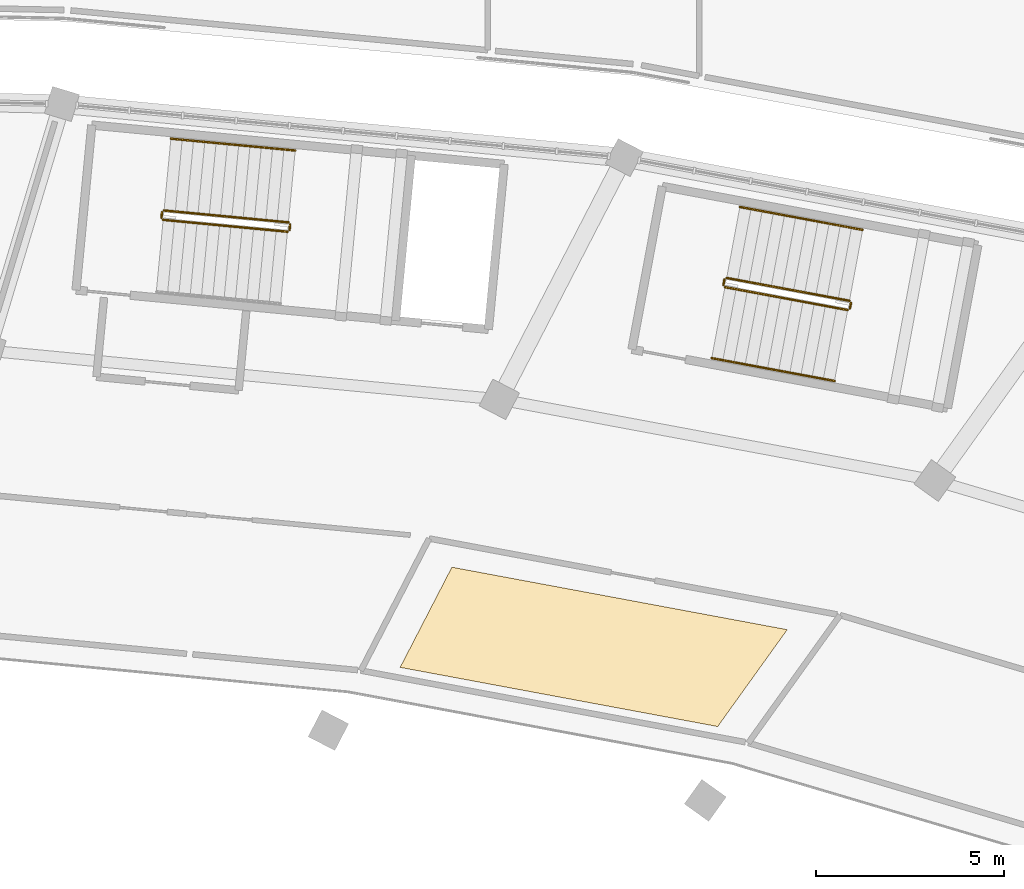
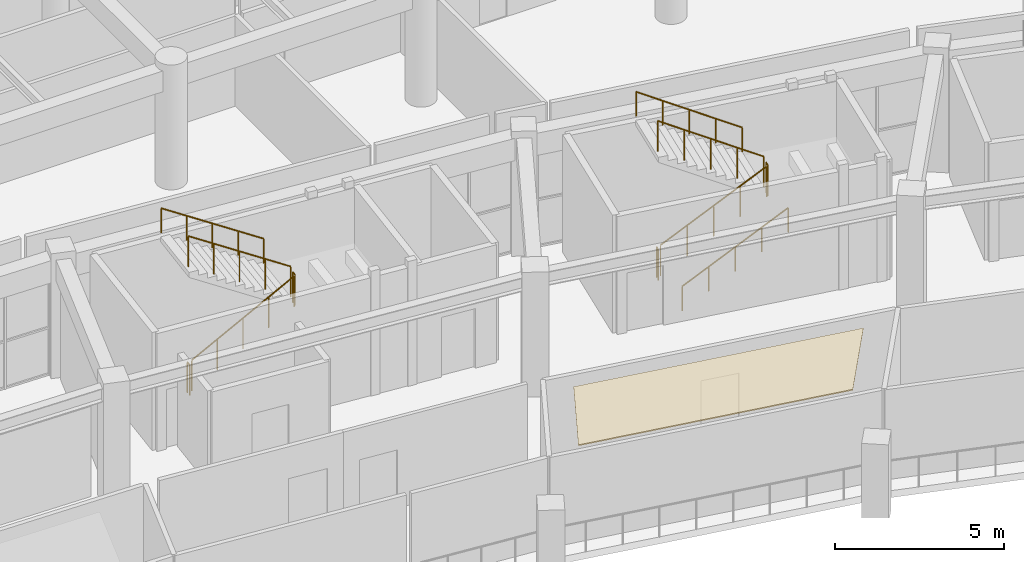
# One storey, part 138 of 141: 11 railings, 1 covering.
"""IFC4 building model written with IfcOpenShell, lengths in metres."""

import ifcopenshell
import ifcopenshell.guid

model = None  # the IFC model being written
_history = None  # IfcOwnerHistory: only IFC2X3 demands one
_inside = {}  # id of a spatial element -> (the spatial element, [elements in it])
_under = {}  # id of a project, library or spatial element -> (it, [spatial elements below it])
_declared = {}  # id of a project -> (the project, [libraries it declares])
_typed = {}  # id of a type object -> (the type object, [elements of that type])
_made_of = {}  # id of a material, layer set ... -> (it, [elements and type objects made of it])


def new_model(schema):
    """Start an empty IFC model of exactly this schema.

    Asked for "IFC4X3", IfcOpenShell would pick the latest addendum, in which some entities
    have other attributes; the version numbers below select the first issue.
    IFC2X3 requires an IfcOwnerHistory on every rooted entity: one is made here for all.
    """
    global model, _history
    if schema == "IFC4X3":
        model = ifcopenshell.file(schema_version=(4, 3, 0, 0))
    else:
        model = ifcopenshell.file(schema=schema)
    _inside.clear()
    _under.clear()
    _declared.clear()
    _typed.clear()
    _made_of.clear()
    _history = None
    if model.schema == "IFC2X3":
        org = make("IfcOrganization", Name="unknown")
        user = make(
            "IfcPersonAndOrganization",
            ThePerson=make("IfcPerson", FamilyName="unknown"),
            TheOrganization=org,
        )
        app = make(
            "IfcApplication",
            ApplicationDeveloper=org,
            Version="unknown",
            ApplicationFullName="unknown",
            ApplicationIdentifier="unknown",
        )
        _history = make(
            "IfcOwnerHistory",
            OwningUser=user,
            OwningApplication=app,
            ChangeAction="ADDED",
            CreationDate=0,
        )
    return model


def make(cls, **values):
    """One entity of the class cls with the attributes given. An attribute that is None is left unset."""
    return model.create_entity(
        cls, **{name: value for name, value in values.items() if value is not None}
    )


def rooted(cls, **values):
    """An entity with a GlobalId (a new one), such as an element, a storey or a relation."""
    return make(cls, GlobalId=ifcopenshell.guid.new(), OwnerHistory=_history, **values)


def si_unit(unit_type, name, prefix=None):
    """IfcSIUnit, for example si_unit("LENGTHUNIT", "METRE", prefix="MILLI")."""
    return make("IfcSIUnit", UnitType=unit_type, Prefix=prefix, Name=name)


def assignment(units):
    """IfcUnitAssignment: the units of a project."""
    return None if units is None else make("IfcUnitAssignment", Units=units)


def point(xyz):
    """IfcCartesianPoint."""
    return None if xyz is None else make("IfcCartesianPoint", Coordinates=xyz)


def direction(xyz):
    """IfcDirection."""
    return None if xyz is None else make("IfcDirection", DirectionRatios=xyz)


def frame(location, z_axis=None, x_axis=None):
    """IfcAxis2Placement3D, a coordinate frame: its origin and axes. An axis left out is left unset."""
    return make(
        "IfcAxis2Placement3D",
        Location=point(location),
        Axis=direction(z_axis),
        RefDirection=direction(x_axis),
    )


def frame_2d(location, x_axis=None):
    """IfcAxis2Placement2D, a coordinate frame in the plane: its origin and x axis."""
    return make(
        "IfcAxis2Placement2D", Location=point(location), RefDirection=direction(x_axis)
    )


def origin():
    """The frame at (0, 0, 0) with its axes left unset."""
    return frame((0.0, 0.0, 0.0))


def origin_2d():
    """The frame at (0, 0) in the plane with its x axis left unset."""
    return frame_2d((0.0, 0.0))


def place(relative_to, where):
    """IfcLocalPlacement: puts the frame where relative to a parent placement (None: the world)."""
    return make(
        "IfcLocalPlacement", PlacementRelTo=relative_to, RelativePlacement=where
    )


def context(
    kind, dimensions, precision=None, world=None, true_north=None, identifier=None
):
    """IfcGeometricRepresentationContext, for example the 3D "Model" context."""
    return make(
        "IfcGeometricRepresentationContext",
        ContextIdentifier=identifier,
        ContextType=kind,
        CoordinateSpaceDimension=dimensions,
        Precision=precision,
        WorldCoordinateSystem=world,
        TrueNorth=true_north,
    )


def subcontext(parent, identifier, kind, view, scale=None):
    """IfcGeometricRepresentationSubContext, for example "Body" below "Model"."""
    return make(
        "IfcGeometricRepresentationSubContext",
        ContextIdentifier=identifier,
        ContextType=kind,
        ParentContext=parent,
        TargetScale=scale,
        TargetView=view,
    )


def project(units=None, contexts=None):
    """IfcProject with its units and contexts."""
    return rooted(
        "IfcProject",
        Name="project",
        RepresentationContexts=contexts,
        UnitsInContext=assignment(units),
    )


def spatial(cls, under=None, at=None, **own):
    """A site, building, storey or space (cls), placed at a placement, below another one or the project."""
    s = rooted(cls, ObjectPlacement=at, **own)
    if under is not None:
        _under.setdefault(under.id(), (under, []))[1].append(s)
    return s


def polyline(points):
    """IfcPolyline through the points."""
    return make("IfcPolyline", Points=[point(p) for p in points])


def profile(cls, at=None, kind="AREA", **sizes):
    """A parametric profile (cls). Its sizes go by their IFC names, for example OverallWidth=200.0."""
    return make(cls, ProfileType=kind, Position=at, **sizes)


def circle(**sizes):
    """IfcCircleProfileDef."""
    return profile("IfcCircleProfileDef", **sizes)


def outline(outer, holes=None, kind="AREA"):
    """IfcArbitraryClosedProfileDef: a profile drawn as a closed curve; with holes, ...WithVoids."""
    if holes is None:
        return make("IfcArbitraryClosedProfileDef", ProfileType=kind, OuterCurve=outer)
    return make(
        "IfcArbitraryProfileDefWithVoids",
        ProfileType=kind,
        OuterCurve=outer,
        InnerCurves=holes,
    )


def extrude(swept, where, along, depth):
    """IfcExtrudedAreaSolid: the profile swept, set in the frame where, extruded along a direction by depth."""
    return make(
        "IfcExtrudedAreaSolid",
        SweptArea=swept,
        Position=where,
        ExtrudedDirection=direction(along),
        Depth=depth,
    )


def shape(context_of_items, identifier, shape_type, items):
    """IfcShapeRepresentation: the items that make up one representation, for example the "Body"."""
    return make(
        "IfcShapeRepresentation",
        ContextOfItems=context_of_items,
        RepresentationIdentifier=identifier,
        RepresentationType=shape_type,
        Items=items,
    )


def material(Name=None, Category=None):
    """IfcMaterial."""
    return make("IfcMaterial", Name=Name, Category=Category)


def layer(
    of_material, thickness, ventilated=None, Name=None, Category=None, Priority=None
):
    """IfcMaterialLayer: one layer of a wall or slab, of a material (None: an air gap)."""
    return make(
        "IfcMaterialLayer",
        Material=of_material,
        LayerThickness=thickness,
        IsVentilated=ventilated,
        Name=Name,
        Category=Category,
        Priority=Priority,
    )


def layer_set(layers, Name=None):
    """IfcMaterialLayerSet."""
    return make("IfcMaterialLayerSet", MaterialLayers=layers, LayerSetName=Name)


def made_of(thing, what):
    """Note that an element or type object is made of a material, layer set ...; save() writes the relation."""
    if what is not None:
        _made_of.setdefault(what.id(), (what, []))[1].append(thing)
    return thing


def type_object(cls, material=None, **own):
    """A type object (cls), such as IfcWallType, which elements share."""
    return made_of(rooted(cls, **own), material)


def element(
    cls,
    number,
    at=None,
    inside=None,
    cuts=None,
    type_object=None,
    material=None,
    context=None,
    identifier="Body",
    shape_type=None,
    held_by="IfcProductDefinitionShape",
    body=None,
    shapes=None,
    **own,
):
    """One element of the class cls, such as IfcWall. Its Tag is "e" and its number.

    at: its placement. inside: the storey or other place that contains it. cuts: it is an
    opening in that element (IfcRelVoidsElement). A single representation is given by context,
    identifier, shape_type and body (its items); several are given by shapes. held_by: the class
    of the entity that holds the representations. save() writes the other relations.
    """
    e = rooted(cls, Tag="e%d" % number, ObjectPlacement=at, **own)
    if body is not None:
        shapes = [shape(context, identifier, shape_type, body)]
    if shapes is not None:
        e.Representation = make(held_by, Representations=shapes)
    if inside is not None:
        _inside.setdefault(inside.id(), (inside, []))[1].append(e)
    if cuts is not None:
        rooted(
            "IfcRelVoidsElement", RelatingBuildingElement=cuts, RelatedOpeningElement=e
        )
    if type_object is not None:
        _typed.setdefault(type_object.id(), (type_object, []))[1].append(e)
    return made_of(e, material)


def aggregate(whole, parts):
    """IfcRelAggregates: a whole, such as a stair, and the parts it consists of."""
    return rooted("IfcRelAggregates", RelatingObject=whole, RelatedObjects=parts)


def save(model, path):
    """Write the relations noted so far, then the file.

    IfcRelAggregates (storeys below a building ...), IfcRelContainedInSpatialStructure (elements
    in a storey), IfcRelDefinesByType, IfcRelAssociatesMaterial and IfcRelDeclares: one each for
    every whole, place, type object, material and project.
    """
    for whole, parts in _under.values():
        aggregate(whole, parts)
    for where, things in _inside.values():
        rooted(
            "IfcRelContainedInSpatialStructure",
            RelatedElements=things,
            RelatingStructure=where,
        )
    for kind, things in _typed.values():
        rooted("IfcRelDefinesByType", RelatedObjects=things, RelatingType=kind)
    for what, things in _made_of.values():
        rooted("IfcRelAssociatesMaterial", RelatedObjects=things, RelatingMaterial=what)
    for by, libraries in _declared.values():
        rooted("IfcRelDeclares", RelatingContext=by, RelatedDefinitions=libraries)
    model.write(path)


model = new_model("IFC4")

# Units and contexts
model_context = context("Model", 3, precision=1e-05, world=origin(), true_north=direction((0.0, 1.0)))
body_context = subcontext(model_context, "Body", "Model", "MODEL_VIEW")
ifc_project = project(units=[si_unit("LENGTHUNIT", "METRE"), si_unit("AREAUNIT", "SQUARE_METRE"), si_unit("VOLUMEUNIT", "CUBIC_METRE"), si_unit("PLANEANGLEUNIT", "RADIAN"), si_unit("MASSUNIT", "GRAM", prefix="KILO")], contexts=[model_context])

# Site, building, storey
site_placement = place(None, origin())
site = spatial("IfcSite", under=ifc_project, at=site_placement, CompositionType="ELEMENT")
building_placement = place(site_placement, origin())
building = spatial("IfcBuilding", under=site, at=building_placement, Name="Mphavela Belvedere Stadium", CompositionType="ELEMENT")
storey_placement = place(building_placement, frame((0.0, 0.0, 14.699951171875)))
storey = spatial("IfcBuildingStorey", under=building, at=storey_placement, Name="L03", CompositionType="ELEMENT", Elevation=14.699951171875)

# Covering
ifc_material_1 = material(Name="Perforated acoustic mineral ceiling tile")
ifc_layer = layer(ifc_material_1, 0.0400390625)
ifc_layer_set = layer_set([ifc_layer], Name="Perforated acoustic mineral ceiling tile")
covering_type = type_object("IfcCoveringType", Name="COV-CEILING-ACOUSTIC", PredefinedType="CEILING", material=ifc_layer_set)
covering_placement = place(storey_placement, frame((0.0, 0.0, 3.199951171875)))
element("IfcCovering", 1, at=covering_placement, inside=storey, type_object=covering_type, Name="Concourse acoustic ceiling L03-10", PredefinedType="CEILING", context=body_context, shape_type="SweptSolid", body=[
    extrude(outline(polyline([(154.560546875, 143.632568359375), (146.1123046875, 145.2060546875), (147.489013671875, 147.870849609375), (156.409912109375, 146.20947265625), (154.560546875, 143.632568359375)])), origin(), (0.0, 0.0, 1.0), 0.0400390625),
])

# Railings
ifc_material_2 = material(Name="Painted galvanised steel stair guardrail", Category="steel")
railing_type_1 = type_object("IfcRailingType", Name="RAL-GUARD-1120", PredefinedType="GUARDRAIL", material=ifc_material_2)
railing_1_placement = place(storey_placement, frame((139.807861328125, 157.11181640625, 0.1875)))
element("IfcRailing", 2, at=railing_1_placement, inside=storey, type_object=railing_type_1, Name="L03 ST-C03 stair guard 1", PredefinedType="GUARDRAIL", context=body_context, shape_type="SweptSolid", body=[
    extrude(circle(Radius=0.02392578125, at=origin_2d()), frame((0.0, 0.0, 1.09619140625), z_axis=(0.845746533962, -0.080666213043, 0.52745214225), x_axis=(0.094947812552, 0.99548225142, 0.0)), (0.0, 0.0, 1.0), 3.910400390625),
    extrude(circle(Radius=0.02099609375, at=origin_2d()), origin(), (0.0, 0.0, 1.0), 1.072021484375),
    extrude(circle(Radius=0.02099609375, at=origin_2d()), frame((0.82666015625, -0.078857421875, 0.515625)), (0.0, 0.0, 1.0), 1.072021484375),
    extrude(circle(Radius=0.02099609375, at=origin_2d()), frame((1.653564453125, -0.15771484375, 1.03125)), (0.0, 0.0, 1.0), 1.072021484375),
    extrude(circle(Radius=0.02099609375, at=origin_2d()), frame((2.48046875, -0.236572265625, 1.546875)), (0.0, 0.0, 1.0), 1.072021484375),
    extrude(circle(Radius=0.02099609375, at=origin_2d()), frame((3.30712890625, -0.3154296875, 2.0625)), (0.0, 0.0, 1.0), 1.072021484375),
])
railing_2_placement = place(storey_placement, frame((143.16943359375, 156.84130859375, 2.25)))
element("IfcRailing", 3, at=railing_2_placement, inside=storey, type_object=railing_type_1, Name="L03 ST-C03 stair guard 2", PredefinedType="GUARDRAIL", context=body_context, shape_type="SweptSolid", body=[
    extrude(circle(Radius=0.02392578125, at=origin_2d()), frame((0.0, 0.0, 1.09619140625), z_axis=(0.095960333934, 0.995385158776, 0.0), x_axis=(-0.995385158776, 0.095960333934, 0.0)), (0.0, 0.0, 1.0), 0.150146484375),
    extrude(circle(Radius=0.02099609375, at=origin_2d()), origin(), (0.0, 0.0, 1.0), 1.072021484375),
    extrude(circle(Radius=0.02099609375, at=origin_2d()), frame((0.014404296875, 0.1494140625, 0.0)), (0.0, 0.0, 1.0), 1.072021484375),
])
railing_3_placement = place(storey_placement, frame((143.138671875, 157.045166015625, 2.4375)))
element("IfcRailing", 4, at=railing_3_placement, inside=storey, type_object=railing_type_1, Name="L03 ST-C03 stair guard 3", PredefinedType="GUARDRAIL", context=body_context, shape_type="SweptSolid", body=[
    extrude(circle(Radius=0.02392578125, at=origin_2d()), frame((0.0, 0.0, 1.09619140625), z_axis=(-0.845728756468, 0.080670472747, 0.527479995175), x_axis=(-0.094954759157, -0.995481588837, 0.0)), (0.0, 0.0, 1.0), 3.91015625),
    extrude(circle(Radius=0.02099609375, at=origin_2d()), origin(), (0.0, 0.0, 1.0), 1.072021484375),
    extrude(circle(Radius=0.02099609375, at=origin_2d()), frame((-0.82666015625, 0.078857421875, 0.515625)), (0.0, 0.0, 1.0), 1.072021484375),
    extrude(circle(Radius=0.02099609375, at=origin_2d()), frame((-1.6533203125, 0.15771484375, 1.03125)), (0.0, 0.0, 1.0), 1.072021484375),
    extrude(circle(Radius=0.02099609375, at=origin_2d()), frame((-2.480224609375, 0.236572265625, 1.546875)), (0.0, 0.0, 1.0), 1.072021484375),
    extrude(circle(Radius=0.02099609375, at=origin_2d()), frame((-3.306884765625, 0.3154296875, 2.0625)), (0.0, 0.0, 1.0), 1.072021484375),
])
railing_4_placement = place(storey_placement, frame((139.762939453125, 157.166259765625, 0.0)))
element("IfcRailing", 5, at=railing_4_placement, inside=storey, type_object=railing_type_1, Name="L03 ST-C03 stair guard 4", PredefinedType="GUARDRAIL", context=body_context, shape_type="SweptSolid", body=[
    extrude(circle(Radius=0.02392578125, at=origin_2d()), frame((0.0, 0.0, 1.09619140625), z_axis=(0.094348489313, 0.995539232057, 0.0), x_axis=(-0.995539232057, 0.094348489313, 0.0)), (0.0, 0.0, 1.0), 0.150146484375),
    extrude(circle(Radius=0.02099609375, at=origin_2d()), origin(), (0.0, 0.0, 1.0), 1.072021484375),
    extrude(circle(Radius=0.02099609375, at=origin_2d()), frame((0.01416015625, 0.1494140625, 0.0)), (0.0, 0.0, 1.0), 1.072021484375),
])
railing_5_placement = place(storey_placement, frame((154.753173828125, 155.321044921875, 0.1875)))
element("IfcRailing", 6, at=railing_5_placement, inside=storey, type_object=railing_type_1, Name="L03 ST-P02 stair guard 1", PredefinedType="GUARDRAIL", context=body_context, shape_type="SweptSolid", body=[
    extrude(circle(Radius=0.02392578125, at=origin_2d()), frame((0.0, 0.0, 1.09619140625), z_axis=(0.835209949234, -0.155591178402, 0.527461587137), x_axis=(0.183139178697, 0.983086995757, 0.0)), (0.0, 0.0, 1.0), 3.91015625),
    extrude(circle(Radius=0.02099609375, at=origin_2d()), origin(), (0.0, 0.0, 1.0), 1.072021484375),
    extrude(circle(Radius=0.02099609375, at=origin_2d()), frame((0.81640625, -0.152099609375, 0.515625)), (0.0, 0.0, 1.0), 1.072021484375),
    extrude(circle(Radius=0.02099609375, at=origin_2d()), frame((1.6328125, -0.30419921875, 1.03125)), (0.0, 0.0, 1.0), 1.072021484375),
    extrude(circle(Radius=0.02099609375, at=origin_2d()), frame((2.449462890625, -0.456298828125, 1.546875)), (0.0, 0.0, 1.0), 1.072021484375),
    extrude(circle(Radius=0.02099609375, at=origin_2d()), frame((3.265869140625, -0.6083984375, 2.0625)), (0.0, 0.0, 1.0), 1.072021484375),
])
railing_6_placement = place(storey_placement, frame((158.077392578125, 154.752685546875, 2.25)))
element("IfcRailing", 7, at=railing_6_placement, inside=storey, type_object=railing_type_1, Name="L03 ST-P02 stair guard 2", PredefinedType="GUARDRAIL", context=body_context, shape_type="SweptSolid", body=[
    extrude(circle(Radius=0.02392578125, at=origin_2d()), frame((0.0, 0.0, 1.09619140625), z_axis=(0.183895489382, 0.982945801652, 0.0), x_axis=(-0.982945801652, 0.183895489382, 0.0)), (0.0, 0.0, 1.0), 0.14990234375),
    extrude(circle(Radius=0.02099609375, at=origin_2d()), origin(), (0.0, 0.0, 1.0), 1.072021484375),
    extrude(circle(Radius=0.02099609375, at=origin_2d()), frame((0.027587890625, 0.1474609375, 0.0)), (0.0, 0.0, 1.0), 1.072021484375),
])
railing_7_placement = place(storey_placement, frame((158.06494140625, 154.95849609375, 2.4375)))
element("IfcRailing", 8, at=railing_7_placement, inside=storey, type_object=railing_type_1, Name="L03 ST-P02 stair guard 3", PredefinedType="GUARDRAIL", context=body_context, shape_type="SweptSolid", body=[
    extrude(circle(Radius=0.02392578125, at=origin_2d()), frame((0.0, 0.0, 1.09619140625), z_axis=(-0.835218061398, 0.155530252743, 0.527466710226), x_axis=(-0.183068151301, -0.983100224789, 0.0)), (0.0, 0.0, 1.0), 3.91015625),
    extrude(circle(Radius=0.02099609375, at=origin_2d()), origin(), (0.0, 0.0, 1.0), 1.072021484375),
    extrude(circle(Radius=0.02099609375, at=origin_2d()), frame((-0.81640625, 0.152099609375, 0.515625)), (0.0, 0.0, 1.0), 1.072021484375),
    extrude(circle(Radius=0.02099609375, at=origin_2d()), frame((-1.6328125, 0.30419921875, 1.03125)), (0.0, 0.0, 1.0), 1.072021484375),
    extrude(circle(Radius=0.02099609375, at=origin_2d()), frame((-2.449462890625, 0.4560546875, 1.546875)), (0.0, 0.0, 1.0), 1.072021484375),
    extrude(circle(Radius=0.02099609375, at=origin_2d()), frame((-3.265869140625, 0.608154296875, 2.0625)), (0.0, 0.0, 1.0), 1.072021484375),
])
railing_8_placement = place(storey_placement, frame((154.713134765625, 155.379150390625, 0.0)))
element("IfcRailing", 9, at=railing_8_placement, inside=storey, type_object=railing_type_1, Name="L03 ST-P02 stair guard 4", PredefinedType="GUARDRAIL", context=body_context, shape_type="SweptSolid", body=[
    extrude(circle(Radius=0.02392578125, at=origin_2d()), frame((0.0, 0.0, 1.09619140625), z_axis=(0.183895489382, 0.982945801652, 0.0), x_axis=(-0.982945801652, 0.183895489382, 0.0)), (0.0, 0.0, 1.0), 0.14990234375),
    extrude(circle(Radius=0.02099609375, at=origin_2d()), origin(), (0.0, 0.0, 1.0), 1.072021484375),
    extrude(circle(Radius=0.02099609375, at=origin_2d()), frame((0.027587890625, 0.1474609375, 0.0)), (0.0, 0.0, 1.0), 1.072021484375),
])
ifc_material_3 = material(Name="Brushed stainless steel tubular handrail", Category="steel")
railing_type_2 = type_object("IfcRailingType", Name="RAL-HANDRAIL-900", PredefinedType="HANDRAIL", material=ifc_material_3)
railing_9_placement = place(storey_placement, frame((143.321044921875, 158.95654296875, 2.4375)))
element("IfcRailing", 10, at=railing_9_placement, inside=storey, type_object=railing_type_2, Name="L03 ST-C03 stair handrail 2", PredefinedType="HANDRAIL", context=body_context, shape_type="SweptSolid", body=[
    extrude(circle(Radius=0.02392578125, at=origin_2d()), frame((0.0, 0.0, 0.8759765625), z_axis=(-0.845728756468, 0.080670472747, 0.527479995175), x_axis=(-0.094954759157, -0.995481588837, 0.0)), (0.0, 0.0, 1.0), 3.91015625),
    extrude(circle(Radius=0.02099609375, at=origin_2d()), origin(), (0.0, 0.0, 1.0), 0.851806640625),
    extrude(circle(Radius=0.02099609375, at=origin_2d()), frame((-0.82666015625, 0.078857421875, 0.515625)), (0.0, 0.0, 1.0), 0.851806640625),
    extrude(circle(Radius=0.02099609375, at=origin_2d()), frame((-1.6533203125, 0.15771484375, 1.03125)), (0.0, 0.0, 1.0), 0.851806640625),
    extrude(circle(Radius=0.02099609375, at=origin_2d()), frame((-2.480224609375, 0.236572265625, 1.546875)), (0.0, 0.0, 1.0), 0.851806640625),
    extrude(circle(Radius=0.02099609375, at=origin_2d()), frame((-3.306884765625, 0.3154296875, 2.0625)), (0.0, 0.0, 1.0), 0.851806640625),
])
railing_10_placement = place(storey_placement, frame((154.401611328125, 153.433349609375, 0.1875)))
element("IfcRailing", 11, at=railing_10_placement, inside=storey, type_object=railing_type_2, Name="L03 ST-P02 stair handrail 1", PredefinedType="HANDRAIL", context=body_context, shape_type="SweptSolid", body=[
    extrude(circle(Radius=0.02392578125, at=origin_2d()), frame((0.0, 0.0, 0.8759765625), z_axis=(0.835218061398, -0.155530252743, 0.527466710226), x_axis=(0.183068151301, 0.983100224789, 0.0)), (0.0, 0.0, 1.0), 3.91015625),
    extrude(circle(Radius=0.02099609375, at=origin_2d()), origin(), (0.0, 0.0, 1.0), 0.851806640625),
    extrude(circle(Radius=0.02099609375, at=origin_2d()), frame((0.81640625, -0.152099609375, 0.515625)), (0.0, 0.0, 1.0), 0.851806640625),
    extrude(circle(Radius=0.02099609375, at=origin_2d()), frame((1.6328125, -0.30419921875, 1.03125)), (0.0, 0.0, 1.0), 0.851806640625),
    extrude(circle(Radius=0.02099609375, at=origin_2d()), frame((2.449462890625, -0.4560546875, 1.546875)), (0.0, 0.0, 1.0), 0.851806640625),
    extrude(circle(Radius=0.02099609375, at=origin_2d()), frame((3.265869140625, -0.608154296875, 2.0625)), (0.0, 0.0, 1.0), 0.851806640625),
])
railing_11_placement = place(storey_placement, frame((158.41650390625, 156.845947265625, 2.4375)))
element("IfcRailing", 12, at=railing_11_placement, inside=storey, type_object=railing_type_2, Name="L03 ST-P02 stair handrail 2", PredefinedType="HANDRAIL", context=body_context, shape_type="SweptSolid", body=[
    extrude(circle(Radius=0.02392578125, at=origin_2d()), frame((0.0, 0.0, 0.8759765625), z_axis=(-0.835209949234, 0.155591178402, 0.527461587137), x_axis=(-0.183139178697, -0.983086995757, 0.0)), (0.0, 0.0, 1.0), 3.91015625),
    extrude(circle(Radius=0.02099609375, at=origin_2d()), origin(), (0.0, 0.0, 1.0), 0.851806640625),
    extrude(circle(Radius=0.02099609375, at=origin_2d()), frame((-0.81640625, 0.152099609375, 0.515625)), (0.0, 0.0, 1.0), 0.851806640625),
    extrude(circle(Radius=0.02099609375, at=origin_2d()), frame((-1.6328125, 0.30419921875, 1.03125)), (0.0, 0.0, 1.0), 0.851806640625),
    extrude(circle(Radius=0.02099609375, at=origin_2d()), frame((-2.449462890625, 0.456298828125, 1.546875)), (0.0, 0.0, 1.0), 0.851806640625),
    extrude(circle(Radius=0.02099609375, at=origin_2d()), frame((-3.265869140625, 0.6083984375, 2.0625)), (0.0, 0.0, 1.0), 0.851806640625),
])

save(model, "model.ifc")
